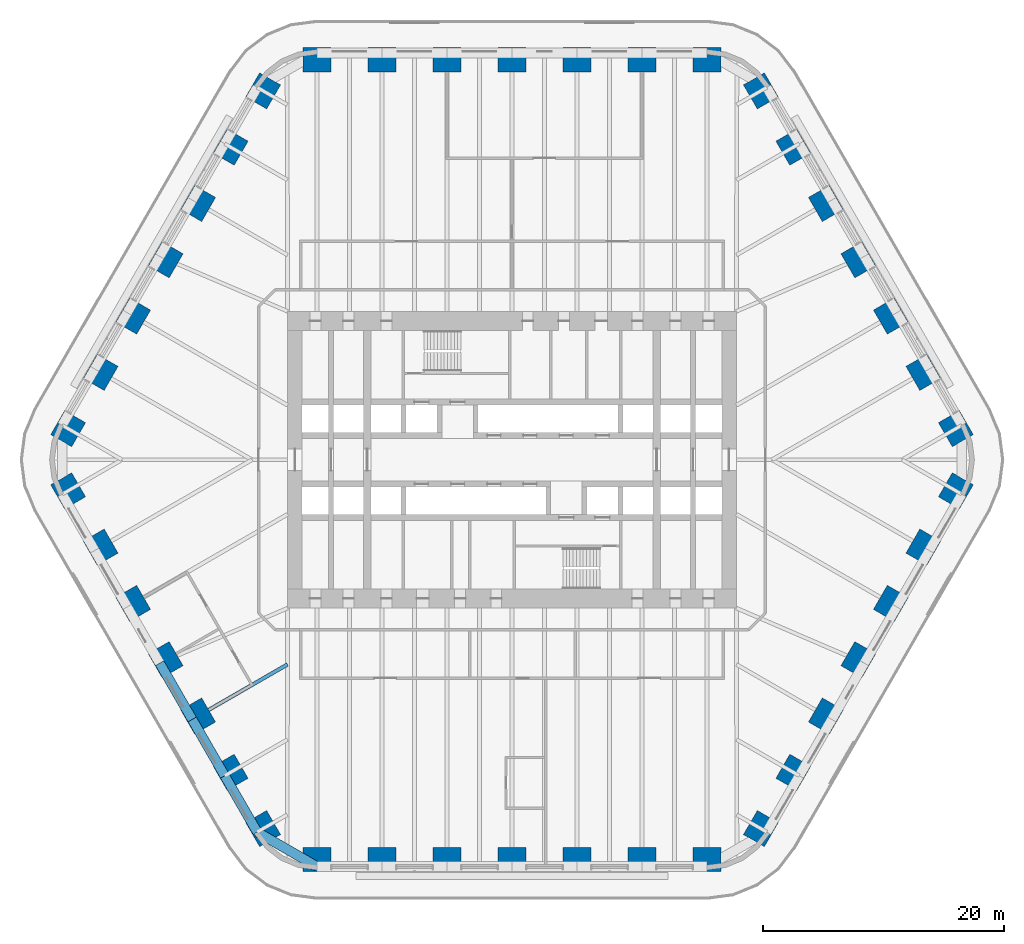
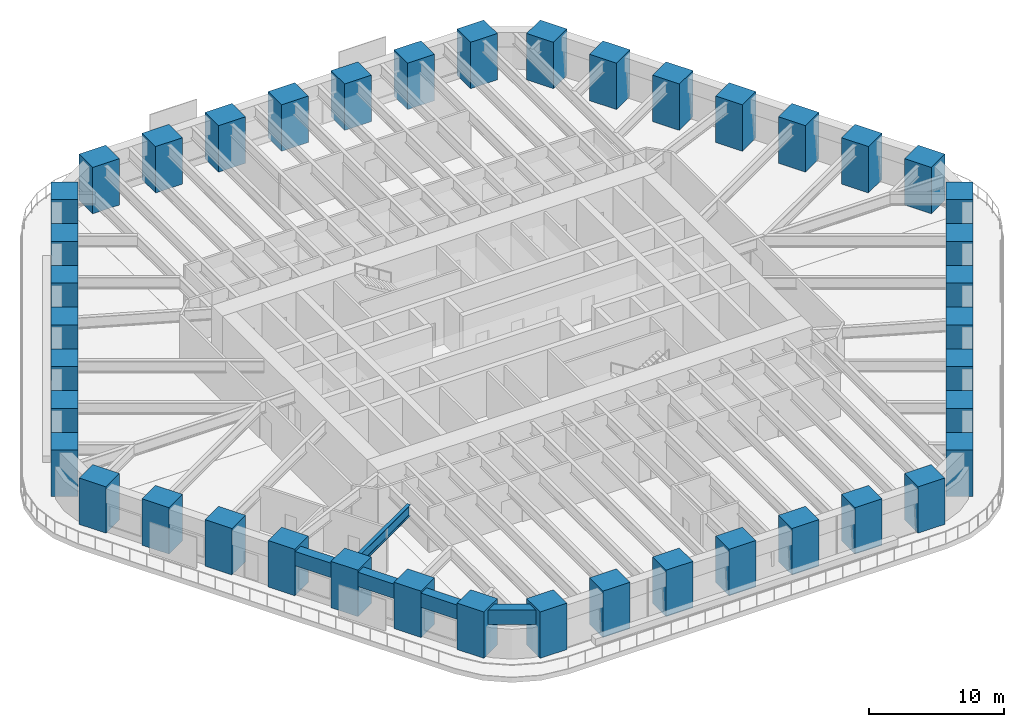
# One storey, part 1 of 23: 42 columns, 5 beams.
"""IFC4 building model written with IfcOpenShell, lengths in metres."""

import ifcopenshell
import ifcopenshell.guid

model = None  # the IFC model being written
_history = None  # IfcOwnerHistory: only IFC2X3 demands one
_inside = {}  # id of a spatial element -> (the spatial element, [elements in it])
_under = {}  # id of a project, library or spatial element -> (it, [spatial elements below it])
_declared = {}  # id of a project -> (the project, [libraries it declares])
_typed = {}  # id of a type object -> (the type object, [elements of that type])
_made_of = {}  # id of a material, layer set ... -> (it, [elements and type objects made of it])


def new_model(schema):
    """Start an empty IFC model of exactly this schema.

    Asked for "IFC4X3", IfcOpenShell would pick the latest addendum, in which some entities
    have other attributes; the version numbers below select the first issue.
    IFC2X3 requires an IfcOwnerHistory on every rooted entity: one is made here for all.
    """
    global model, _history
    if schema == "IFC4X3":
        model = ifcopenshell.file(schema_version=(4, 3, 0, 0))
    else:
        model = ifcopenshell.file(schema=schema)
    _inside.clear()
    _under.clear()
    _declared.clear()
    _typed.clear()
    _made_of.clear()
    _history = None
    if model.schema == "IFC2X3":
        org = make("IfcOrganization", Name="unknown")
        user = make(
            "IfcPersonAndOrganization",
            ThePerson=make("IfcPerson", FamilyName="unknown"),
            TheOrganization=org,
        )
        app = make(
            "IfcApplication",
            ApplicationDeveloper=org,
            Version="unknown",
            ApplicationFullName="unknown",
            ApplicationIdentifier="unknown",
        )
        _history = make(
            "IfcOwnerHistory",
            OwningUser=user,
            OwningApplication=app,
            ChangeAction="ADDED",
            CreationDate=0,
        )
    return model


def make(cls, **values):
    """One entity of the class cls with the attributes given. An attribute that is None is left unset."""
    return model.create_entity(
        cls, **{name: value for name, value in values.items() if value is not None}
    )


def rooted(cls, **values):
    """An entity with a GlobalId (a new one), such as an element, a storey or a relation."""
    return make(cls, GlobalId=ifcopenshell.guid.new(), OwnerHistory=_history, **values)


def si_unit(unit_type, name, prefix=None):
    """IfcSIUnit, for example si_unit("LENGTHUNIT", "METRE", prefix="MILLI")."""
    return make("IfcSIUnit", UnitType=unit_type, Prefix=prefix, Name=name)


def assignment(units):
    """IfcUnitAssignment: the units of a project."""
    return None if units is None else make("IfcUnitAssignment", Units=units)


def point(xyz):
    """IfcCartesianPoint."""
    return None if xyz is None else make("IfcCartesianPoint", Coordinates=xyz)


def direction(xyz):
    """IfcDirection."""
    return None if xyz is None else make("IfcDirection", DirectionRatios=xyz)


def frame(location, z_axis=None, x_axis=None):
    """IfcAxis2Placement3D, a coordinate frame: its origin and axes. An axis left out is left unset."""
    return make(
        "IfcAxis2Placement3D",
        Location=point(location),
        Axis=direction(z_axis),
        RefDirection=direction(x_axis),
    )


def frame_2d(location, x_axis=None):
    """IfcAxis2Placement2D, a coordinate frame in the plane: its origin and x axis."""
    return make(
        "IfcAxis2Placement2D", Location=point(location), RefDirection=direction(x_axis)
    )


def origin():
    """The frame at (0, 0, 0) with its axes left unset."""
    return frame((0.0, 0.0, 0.0))


def origin_2d():
    """The frame at (0, 0) in the plane with its x axis left unset."""
    return frame_2d((0.0, 0.0))


def place(relative_to, where):
    """IfcLocalPlacement: puts the frame where relative to a parent placement (None: the world)."""
    return make(
        "IfcLocalPlacement", PlacementRelTo=relative_to, RelativePlacement=where
    )


def context(
    kind, dimensions, precision=None, world=None, true_north=None, identifier=None
):
    """IfcGeometricRepresentationContext, for example the 3D "Model" context."""
    return make(
        "IfcGeometricRepresentationContext",
        ContextIdentifier=identifier,
        ContextType=kind,
        CoordinateSpaceDimension=dimensions,
        Precision=precision,
        WorldCoordinateSystem=world,
        TrueNorth=true_north,
    )


def subcontext(parent, identifier, kind, view, scale=None):
    """IfcGeometricRepresentationSubContext, for example "Body" below "Model"."""
    return make(
        "IfcGeometricRepresentationSubContext",
        ContextIdentifier=identifier,
        ContextType=kind,
        ParentContext=parent,
        TargetScale=scale,
        TargetView=view,
    )


def project(units=None, contexts=None):
    """IfcProject with its units and contexts."""
    return rooted(
        "IfcProject",
        Name="project",
        RepresentationContexts=contexts,
        UnitsInContext=assignment(units),
    )


def spatial(cls, under=None, at=None, **own):
    """A site, building, storey or space (cls), placed at a placement, below another one or the project."""
    s = rooted(cls, ObjectPlacement=at, **own)
    if under is not None:
        _under.setdefault(under.id(), (under, []))[1].append(s)
    return s


def profile(cls, at=None, kind="AREA", **sizes):
    """A parametric profile (cls). Its sizes go by their IFC names, for example OverallWidth=200.0."""
    return make(cls, ProfileType=kind, Position=at, **sizes)


def rectangle(**sizes):
    """IfcRectangleProfileDef."""
    return profile("IfcRectangleProfileDef", **sizes)


def i_section(**sizes):
    """IfcIShapeProfileDef."""
    return profile("IfcIShapeProfileDef", **sizes)


def extrude(swept, where, along, depth):
    """IfcExtrudedAreaSolid: the profile swept, set in the frame where, extruded along a direction by depth."""
    return make(
        "IfcExtrudedAreaSolid",
        SweptArea=swept,
        Position=where,
        ExtrudedDirection=direction(along),
        Depth=depth,
    )


def shape(context_of_items, identifier, shape_type, items):
    """IfcShapeRepresentation: the items that make up one representation, for example the "Body"."""
    return make(
        "IfcShapeRepresentation",
        ContextOfItems=context_of_items,
        RepresentationIdentifier=identifier,
        RepresentationType=shape_type,
        Items=items,
    )


def material(Name=None, Category=None):
    """IfcMaterial."""
    return make("IfcMaterial", Name=Name, Category=Category)


def material_profile(
    of_material, cross_section, Name=None, Category=None, Priority=None
):
    """IfcMaterialProfile: a cross section and its material."""
    return make(
        "IfcMaterialProfile",
        Name=Name,
        Material=of_material,
        Profile=cross_section,
        Priority=Priority,
        Category=Category,
    )


def profile_set(profiles, Name=None, composite=None):
    """IfcMaterialProfileSet."""
    return make(
        "IfcMaterialProfileSet",
        Name=Name,
        MaterialProfiles=profiles,
        CompositeProfile=composite,
    )


def made_of(thing, what):
    """Note that an element or type object is made of a material, layer set ...; save() writes the relation."""
    if what is not None:
        _made_of.setdefault(what.id(), (what, []))[1].append(thing)
    return thing


def type_object(cls, material=None, **own):
    """A type object (cls), such as IfcWallType, which elements share."""
    return made_of(rooted(cls, **own), material)


def element(
    cls,
    number,
    at=None,
    inside=None,
    cuts=None,
    type_object=None,
    material=None,
    context=None,
    identifier="Body",
    shape_type=None,
    held_by="IfcProductDefinitionShape",
    body=None,
    shapes=None,
    **own,
):
    """One element of the class cls, such as IfcWall. Its Tag is "e" and its number.

    at: its placement. inside: the storey or other place that contains it. cuts: it is an
    opening in that element (IfcRelVoidsElement). A single representation is given by context,
    identifier, shape_type and body (its items); several are given by shapes. held_by: the class
    of the entity that holds the representations. save() writes the other relations.
    """
    e = rooted(cls, Tag="e%d" % number, ObjectPlacement=at, **own)
    if body is not None:
        shapes = [shape(context, identifier, shape_type, body)]
    if shapes is not None:
        e.Representation = make(held_by, Representations=shapes)
    if inside is not None:
        _inside.setdefault(inside.id(), (inside, []))[1].append(e)
    if cuts is not None:
        rooted(
            "IfcRelVoidsElement", RelatingBuildingElement=cuts, RelatedOpeningElement=e
        )
    if type_object is not None:
        _typed.setdefault(type_object.id(), (type_object, []))[1].append(e)
    return made_of(e, material)


def aggregate(whole, parts):
    """IfcRelAggregates: a whole, such as a stair, and the parts it consists of."""
    return rooted("IfcRelAggregates", RelatingObject=whole, RelatedObjects=parts)


def save(model, path):
    """Write the relations noted so far, then the file.

    IfcRelAggregates (storeys below a building ...), IfcRelContainedInSpatialStructure (elements
    in a storey), IfcRelDefinesByType, IfcRelAssociatesMaterial and IfcRelDeclares: one each for
    every whole, place, type object, material and project.
    """
    for whole, parts in _under.values():
        aggregate(whole, parts)
    for where, things in _inside.values():
        rooted(
            "IfcRelContainedInSpatialStructure",
            RelatedElements=things,
            RelatingStructure=where,
        )
    for kind, things in _typed.values():
        rooted("IfcRelDefinesByType", RelatedObjects=things, RelatingType=kind)
    for what, things in _made_of.values():
        rooted("IfcRelAssociatesMaterial", RelatedObjects=things, RelatingMaterial=what)
    for by, libraries in _declared.values():
        rooted("IfcRelDeclares", RelatingContext=by, RelatedDefinitions=libraries)
    model.write(path)


model = new_model("IFC4")

# Units and contexts
model_context = context("Model", 3, precision=1e-05, world=origin(), true_north=direction((0.0, 1.0)))
body_context = subcontext(model_context, "Body", "Model", "MODEL_VIEW")
ifc_project = project(units=[si_unit("LENGTHUNIT", "METRE"), si_unit("AREAUNIT", "SQUARE_METRE"), si_unit("VOLUMEUNIT", "CUBIC_METRE"), si_unit("PLANEANGLEUNIT", "RADIAN"), si_unit("MASSUNIT", "GRAM", prefix="KILO")], contexts=[model_context])

# Site, building, storey
site_placement = place(None, origin())
site = spatial("IfcSite", under=ifc_project, at=site_placement, CompositionType="ELEMENT")
building_placement = place(site_placement, origin())
building = spatial("IfcBuilding", under=site, at=building_placement, Name="Tarfa Lantern Tower", CompositionType="ELEMENT")
storey_placement = place(building_placement, frame((0.0, 0.0, 31.89990234375)))
storey = spatial("IfcBuildingStorey", under=building, at=storey_placement, Name="L06", CompositionType="ELEMENT", Elevation=31.89990234375)

# Columns
ifc_material_1 = material(Name="Concrete C80/95", Category="concrete")
ifc_material_profile_1 = material_profile(ifc_material_1, rectangle(XDim=2.300048828125, YDim=2.0, at=origin_2d()), Name="RC 2300x2000")
ifc_profile_set_1 = profile_set([ifc_material_profile_1], Name="Concrete C80/95")
column_type = type_object("IfcColumnType", Name="TC1 RC 2300x2000", PredefinedType="COLUMN", material=ifc_profile_set_1)
for number, where, z_axis, x_axis, name in (
    (1, (36.791748046875, 2.574951171875, 0.0), (0.0, 0.0, 1.0), (-0.5, 0.866025403784, 0.0), "Tube column NE0"),
    (2, (34.097412109375, 7.24169921875, 0.0), (0.0, 0.0, 1.0), (-0.5, 0.866025403784, 0.0), "Tube column NE1"),
    (3, (31.403076171875, 11.908447265625, 0.0), (0.0, 0.0, 1.0), (-0.5, 0.866025403784, 0.0), "Tube column NE2"),
    (4, (28.708740234375, 16.574951171875, 0.0), (0.0, 0.0, 1.0), (-0.5, 0.866025403784, 0.0), "Tube column NE3"),
    (5, (26.014404296875, 21.24169921875, 0.0), (0.0, 0.0, 1.0), (-0.5, 0.866025403784, 0.0), "Tube column NE4"),
    (6, (23.320068359375, 25.908447265625, 0.0), (0.0, 0.0, 1.0), (-0.5, 0.866025403784, 0.0), "Tube column NE5"),
    (7, (20.625732421875, 30.574951171875, 0.0), (0.0, 0.0, 1.0), (-0.5, 0.866025403784, 0.0), "Tube column NE6"),
    (8, (16.165771484375, 33.14990234375, 0.0), (0.0, 0.0, 1.0), (-1.0, 0.0, 0.0), "Tube column N0"),
    (9, (10.777099609375, 33.14990234375, 0.0), (0.0, 0.0, 1.0), (-1.0, 0.0, 0.0), "Tube column N1"),
    (10, (5.388671875, 33.14990234375, 0.0), (0.0, 0.0, 1.0), (-1.0, 0.0, 0.0), "Tube column N2"),
    (11, (0.0, 33.14990234375, 0.0), (0.0, 0.0, 1.0), (-1.0, 0.0, 0.0), "Tube column N3"),
    (12, (-5.388671875, 33.14990234375, 0.0), (0.0, 0.0, 1.0), (-1.0, 0.0, 0.0), "Tube column N4"),
    (13, (-10.777099609375, 33.14990234375, 0.0), (0.0, 0.0, 1.0), (-1.0, 0.0, 0.0), "Tube column N5"),
    (14, (-16.165771484375, 33.14990234375, 0.0), (0.0, 0.0, 1.0), (-1.0, 0.0, 0.0), "Tube column N6"),
    (15, (-20.625732421875, 30.574951171875, 0.0), (0.0, 0.0, 1.0), (-0.5, -0.866025403784, 0.0), "Tube column NW0"),
    (16, (-23.320068359375, 25.908447265625, 0.0), (0.0, 0.0, 1.0), (-0.5, -0.866025403784, 0.0), "Tube column NW1"),
    (17, (-26.014404296875, 21.24169921875, 0.0), (0.0, 0.0, 1.0), (-0.5, -0.866025403784, 0.0), "Tube column NW2"),
    (18, (-28.708740234375, 16.574951171875, 0.0), (0.0, 0.0, 1.0), (-0.5, -0.866025403784, 0.0), "Tube column NW3"),
    (19, (-31.403076171875, 11.908447265625, 0.0), (0.0, 0.0, 1.0), (-0.5, -0.866025403784, 0.0), "Tube column NW4"),
    (20, (-34.097412109375, 7.24169921875, 0.0), (0.0, 0.0, 1.0), (-0.5, -0.866025403784, 0.0), "Tube column NW5"),
    (21, (-36.791748046875, 2.574951171875, 0.0), (0.0, 0.0, 1.0), (-0.5, -0.866025403784, 0.0), "Tube column NW6"),
    (22, (-36.791748046875, -2.574951171875, 0.0), (0.0, 0.0, 1.0), (0.5, -0.866025403784, 0.0), "Tube column SW0"),
    (23, (-34.097412109375, -7.24169921875, 0.0), (0.0, 0.0, 1.0), (0.5, -0.866025403784, 0.0), "Tube column SW1"),
    (24, (-31.403076171875, -11.908447265625, 0.0), (0.0, 0.0, 1.0), (0.5, -0.866025403784, 0.0), "Tube column SW2"),
    (25, (-28.708740234375, -16.574951171875, 0.0), (0.0, 0.0, 1.0), (0.5, -0.866025403784, 0.0), "Tube column SW3"),
    (26, (-26.014404296875, -21.24169921875, 0.0), (0.0, 0.0, 1.0), (0.5, -0.866025403784, 0.0), "Tube column SW4"),
    (27, (-23.320068359375, -25.908447265625, 0.0), (0.0, 0.0, 1.0), (0.5, -0.866025403784, 0.0), "Tube column SW5"),
    (28, (-20.625732421875, -30.574951171875, 0.0), (0.0, 0.0, 1.0), (0.5, -0.866025403784, 0.0), "Tube column SW6"),
    (29, (-16.165771484375, -33.14990234375, 0.0), (0.0, 0.0, 1.0), (1.0, 0.0, 0.0), "Tube column S0"),
    (30, (-10.777099609375, -33.14990234375, 0.0), (0.0, 0.0, 1.0), (1.0, 0.0, 0.0), "Tube column S1"),
    (31, (-5.388671875, -33.14990234375, 0.0), (0.0, 0.0, 1.0), (1.0, 0.0, 0.0), "Tube column S2"),
    (32, (0.0, -33.14990234375, 0.0), (0.0, 0.0, 1.0), (1.0, 0.0, 0.0), "Tube column S3"),
    (33, (5.388671875, -33.14990234375, 0.0), (0.0, 0.0, 1.0), (1.0, 0.0, 0.0), "Tube column S4"),
    (34, (10.777099609375, -33.14990234375, 0.0), (0.0, 0.0, 1.0), (1.0, 0.0, 0.0), "Tube column S5"),
    (35, (16.165771484375, -33.14990234375, 0.0), (0.0, 0.0, 1.0), (1.0, 0.0, 0.0), "Tube column S6"),
    (36, (20.625732421875, -30.574951171875, 0.0), (0.0, 0.0, 1.0), (0.5, 0.866025403784, 0.0), "Tube column SE0"),
    (37, (23.320068359375, -25.908447265625, 0.0), (0.0, 0.0, 1.0), (0.5, 0.866025403784, 0.0), "Tube column SE1"),
    (38, (26.014404296875, -21.24169921875, 0.0), (0.0, 0.0, 1.0), (0.5, 0.866025403784, 0.0), "Tube column SE2"),
    (39, (28.708740234375, -16.574951171875, 0.0), (0.0, 0.0, 1.0), (0.5, 0.866025403784, 0.0), "Tube column SE3"),
    (40, (31.403076171875, -11.908447265625, 0.0), (0.0, 0.0, 1.0), (0.5, 0.866025403784, 0.0), "Tube column SE4"),
    (41, (34.097412109375, -7.24169921875, 0.0), (0.0, 0.0, 1.0), (0.5, 0.866025403784, 0.0), "Tube column SE5"),
    (42, (36.791748046875, -2.574951171875, 0.0), (0.0, 0.0, 1.0), (0.5, 0.866025403784, 0.0), "Tube column SE6"),
):
    element("IfcColumn", number, at=place(storey_placement, frame(where, z_axis=z_axis, x_axis=x_axis)), inside=storey, type_object=column_type, Name=name, PredefinedType="COLUMN", context=body_context, shape_type="SweptSolid", body=[
        extrude(rectangle(XDim=2.300048828125, YDim=2.0, at=origin_2d()), origin(), (0.0, 0.0, 1.0), 4.2001953125),
    ])

# Beams
ifc_material_profile_2 = material_profile(ifc_material_1, rectangle(XDim=0.800048828125, YDim=1.300048828125, at=origin_2d()), Name="RC 800x1300")
ifc_profile_set_2 = profile_set([ifc_material_profile_2], Name="Concrete C80/95")
beam_type_1 = type_object("IfcBeamType", Name="EB1 RC 800x1300", PredefinedType="SPANDREL", material=ifc_profile_set_2)
beam_1_placement = place(storey_placement, frame((-29.202392578125, -16.860107421875, 3.35009765625), z_axis=(0.500017906299, -0.866015065331, 0.0), x_axis=(0.866015065331, 0.500017906299, 0.0)))
element("IfcBeam", 43, at=beam_1_placement, inside=storey, type_object=beam_type_1, Name="Edge beam SW3", PredefinedType="SPANDREL", context=body_context, shape_type="SweptSolid", body=[
    extrude(rectangle(XDim=0.800048828125, YDim=1.300048828125, at=origin_2d()), origin(), (0.0, 0.0, 1.0), 5.388427734375),
])
for number, where, z_axis, x_axis, name in (
    (44, (-26.508056640625, -21.526611328125, 3.35009765625), (0.499998287579, -0.866026392449, 0.0), (0.866026392449, 0.499998287579, 0.0), "Edge beam SW4"),
    (45, (-23.813720703125, -26.193359375, 3.35009765625), (0.499998287579, -0.866026392449, 0.0), (0.866026392449, 0.499998287579, 0.0), "Edge beam SW5"),
):
    element("IfcBeam", number, at=place(storey_placement, frame(where, z_axis=z_axis, x_axis=x_axis)), inside=storey, type_object=beam_type_1, Name=name, PredefinedType="SPANDREL", context=body_context, shape_type="SweptSolid", body=[
        extrude(rectangle(XDim=0.800048828125, YDim=1.300048828125, at=origin_2d()), origin(), (0.0, 0.0, 1.0), 5.388671875),
    ])
beam_2_placement = place(storey_placement, frame((-21.119384765625, -30.860107421875, 3.35009765625), z_axis=(0.866033479681, -0.499986011877, 0.0), x_axis=(0.499986011877, 0.866033479681, 0.0)))
element("IfcBeam", 46, at=beam_2_placement, inside=storey, type_object=beam_type_1, Name="Edge beam SW6", PredefinedType="SPANDREL", context=body_context, shape_type="SweptSolid", body=[
    extrude(rectangle(XDim=0.800048828125, YDim=1.300048828125, at=origin_2d()), origin(), (0.0, 0.0, 1.0), 5.719970703125),
])
ifc_material_2 = material(Name="Steel S460M", Category="steel")
ifc_material_profile_3 = material_profile(ifc_material_2, i_section(OverallWidth=0.302001953125, OverallDepth=1.008056640625, WebThickness=0.02099609375, FlangeThickness=0.0400390625, FilletRadius=0.030029296875, at=origin_2d()), Name="UB1016x305x349")
ifc_profile_set_3 = profile_set([ifc_material_profile_3], Name="Steel S460M")
beam_type_2 = type_object("IfcBeamType", Name="UB1016x305x349", PredefinedType="BEAM", material=ifc_profile_set_3)
beam_3_placement = place(storey_placement, frame((-26.508056640625, -21.526611328125, 3.49609375), z_axis=(0.866035355799, 0.49998276221, 0.0), x_axis=(-0.49998276221, 0.866035355799, 0.0)))
element("IfcBeam", 47, at=beam_3_placement, inside=storey, type_object=beam_type_2, Name="Floor beam SW4", PredefinedType="BEAM", context=body_context, shape_type="SweptSolid", body=[
    extrude(i_section(OverallWidth=0.302001953125, OverallDepth=1.008056640625, WebThickness=0.02099609375, FlangeThickness=0.0400390625, FilletRadius=0.030029296875, at=origin_2d()), origin(), (0.0, 0.0, 1.0), 9.119873046875),
])

save(model, "model.ifc")
